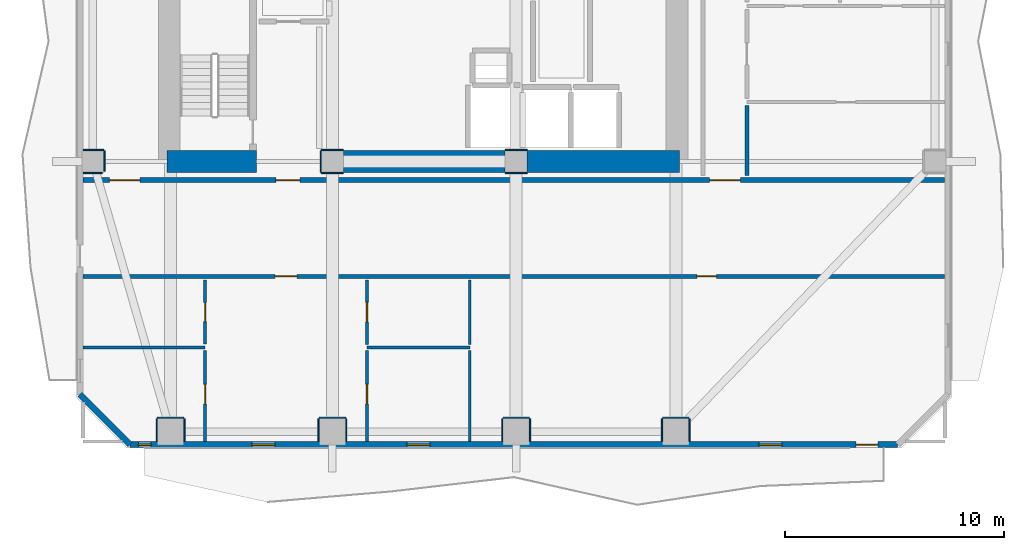
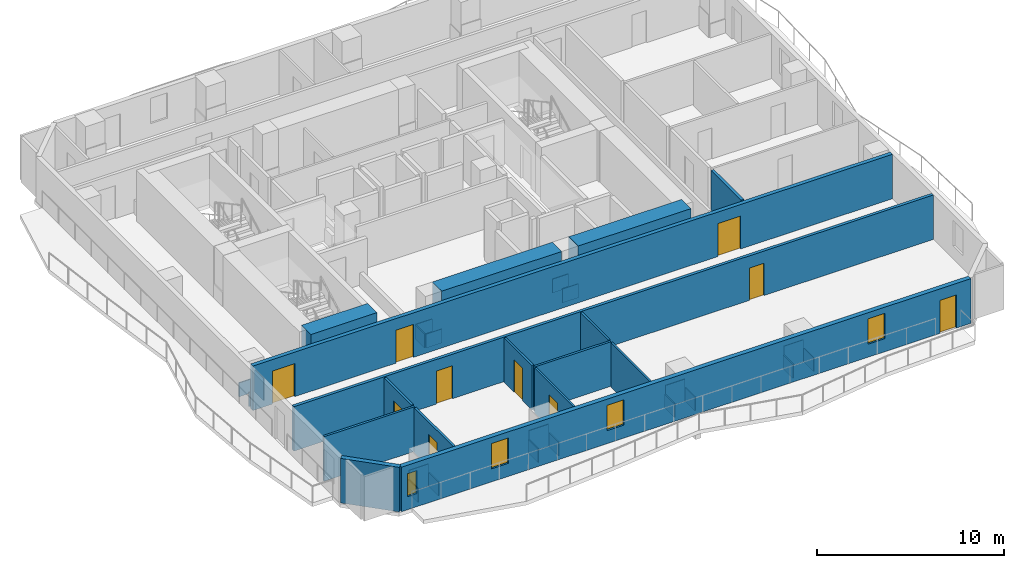
# One storey, part 2 of 9: 36 walls, 10 doors, 4 windows, 14 openings.
"""IFC4 building model written with IfcOpenShell, lengths in metres."""

from ifc_helpers import new_model, si_unit, direction, frame, frame_2d, origin, place, context, subcontext, project, spatial, rectangle, extrude, material, layer, layer_set, type_object, element, fill, save


model = new_model("IFC4")

# Units and contexts
model_context = context("Model", 3, precision=1e-05, world=origin(), true_north=direction((0.0, 1.0)))
body_context = subcontext(model_context, "Body", "Model", "MODEL_VIEW")
ifc_project = project(units=[si_unit("LENGTHUNIT", "METRE"), si_unit("AREAUNIT", "SQUARE_METRE"), si_unit("VOLUMEUNIT", "CUBIC_METRE"), si_unit("PLANEANGLEUNIT", "RADIAN"), si_unit("MASSUNIT", "GRAM", prefix="KILO")], contexts=[model_context])

# Site, building, storey
site_placement = place(None, origin())
site = spatial("IfcSite", under=ifc_project, at=site_placement, CompositionType="ELEMENT")
building_placement = place(site_placement, origin())
building = spatial("IfcBuilding", under=site, at=building_placement, Name="Solanera Arch Residences", CompositionType="ELEMENT")
storey_placement = place(building_placement, frame((0.0, 0.0, 142.60009765625)))
storey = spatial("IfcBuildingStorey", under=building, at=storey_placement, Name="L41", CompositionType="ELEMENT", Elevation=142.60009765625)

# Walls
ifc_material_1 = material(Name="Fire-Rated Gypsum Stud Partition", Category="gypsum")
ifc_layer_1 = layer(ifc_material_1, 0.06005859375)
ifc_layer_set_1 = layer_set([ifc_layer_1], Name="Fire-Rated Gypsum Stud Partition")
wall_type_1 = type_object("IfcWallType", Name="Column Acoustic Furring Wall 60", PredefinedType="PARTITIONING", material=ifc_layer_set_1)
for number, where, z_axis, x_axis, name in (
    (1, (20.300048828125, 21.468017578125, 0.0), (0.0, 0.0, 1.0), (1.0, 0.0, 0.0), "L41 Column Furring 1S"),
    (2, (20.300048828125, 22.531982421875, 0.0), (0.0, 0.0, 1.0), (1.0, 0.0, 0.0), "L41 Column Furring 1N"),
    (3, (20.26806640625, 21.5, 0.0), (0.0, 0.0, 1.0), (0.0, 1.0, 0.0), "L41 Column Furring 1W"),
    (4, (28.699951171875, 21.468017578125, 0.0), (0.0, 0.0, 1.0), (1.0, 0.0, 0.0), "L41 Column Furring 2S"),
    (5, (28.699951171875, 22.531982421875, 0.0), (0.0, 0.0, 1.0), (1.0, 0.0, 0.0), "L41 Column Furring 2N"),
):
    element("IfcWall", number, at=place(storey_placement, frame(where, z_axis=z_axis, x_axis=x_axis)), inside=storey, type_object=wall_type_1, Name=name, PredefinedType="PARTITIONING", context=body_context, shape_type="SweptSolid", body=[
        extrude(rectangle(XDim=1.0, YDim=0.06005859375, at=frame_2d((0.5, 0.0))), origin(), (0.0, 0.0, 1.0), 0.90478515625),
    ])
wall_1_placement = place(storey_placement, frame((12.800048828125, 10.281982421875, 0.0), z_axis=(0.0, 0.0, 1.0), x_axis=(1.0, 0.0, 0.0)))
element("IfcWall", 6, at=wall_1_placement, inside=storey, type_object=wall_type_1, Name="L41 Column Furring 9N", PredefinedType="PARTITIONING", context=body_context, shape_type="SweptSolid", body=[
    extrude(rectangle(XDim=1.199951171875, YDim=0.06005859375, at=frame_2d((0.60009765625, 0.0))), origin(), (0.0, 0.0, 1.0), 1.449951171875),
])
for number, where, z_axis, x_axis, name in (
    (7, (12.76806640625, 9.2099609375, 0.0), (0.0, 0.0, 1.0), (0.0, 1.0, 0.0), "L41 Column Furring 9W"),
    (8, (14.031982421875, 9.2099609375, 0.0), (0.0, 0.0, 1.0), (0.0, 1.0, 0.0), "L41 Column Furring 9E"),
):
    element("IfcWall", number, at=place(storey_placement, frame(where, z_axis=z_axis, x_axis=x_axis)), inside=storey, type_object=wall_type_1, Name=name, PredefinedType="PARTITIONING", context=body_context, shape_type="SweptSolid", body=[
        extrude(rectangle(XDim=1.0400390625, YDim=0.06005859375, at=frame_2d((0.52001953125, 0.0))), origin(), (0.0, 0.0, 1.0), 0.90478515625),
    ])
wall_2_placement = place(storey_placement, frame((20.199951171875, 10.281982421875, 0.0), z_axis=(0.0, 0.0, 1.0), x_axis=(1.0, 0.0, 0.0)))
element("IfcWall", 9, at=wall_2_placement, inside=storey, type_object=wall_type_1, Name="L41 Column Furring 11N", PredefinedType="PARTITIONING", context=body_context, shape_type="SweptSolid", body=[
    extrude(rectangle(XDim=1.199951171875, YDim=0.06005859375, at=frame_2d((0.60009765625, 0.0))), origin(), (0.0, 0.0, 1.0), 1.449951171875),
])
for number, where, z_axis, x_axis, name in (
    (10, (20.16796875, 9.2099609375, 0.0), (0.0, 0.0, 1.0), (0.0, 1.0, 0.0), "L41 Column Furring 11W"),
    (11, (21.431884765625, 9.2099609375, 0.0), (0.0, 0.0, 1.0), (0.0, 1.0, 0.0), "L41 Column Furring 11E"),
):
    element("IfcWall", number, at=place(storey_placement, frame(where, z_axis=z_axis, x_axis=x_axis)), inside=storey, type_object=wall_type_1, Name=name, PredefinedType="PARTITIONING", context=body_context, shape_type="SweptSolid", body=[
        extrude(rectangle(XDim=1.0400390625, YDim=0.06005859375, at=frame_2d((0.52001953125, 0.0))), origin(), (0.0, 0.0, 1.0), 0.90478515625),
    ])
wall_3_placement = place(storey_placement, frame((28.60009765625, 10.281982421875, 0.0), z_axis=(0.0, 0.0, 1.0), x_axis=(1.0, 0.0, 0.0)))
element("IfcWall", 12, at=wall_3_placement, inside=storey, type_object=wall_type_1, Name="L41 Column Furring 13N", PredefinedType="PARTITIONING", context=body_context, shape_type="SweptSolid", body=[
    extrude(rectangle(XDim=1.199951171875, YDim=0.06005859375, at=frame_2d((0.60009765625, 0.0))), origin(), (0.0, 0.0, 1.0), 1.449951171875),
])
for number, where, z_axis, x_axis, name in (
    (13, (28.568115234375, 9.2099609375, 0.0), (0.0, 0.0, 1.0), (0.0, 1.0, 0.0), "L41 Column Furring 13W"),
    (14, (29.83203125, 9.2099609375, 0.0), (0.0, 0.0, 1.0), (0.0, 1.0, 0.0), "L41 Column Furring 13E"),
):
    element("IfcWall", number, at=place(storey_placement, frame(where, z_axis=z_axis, x_axis=x_axis)), inside=storey, type_object=wall_type_1, Name=name, PredefinedType="PARTITIONING", context=body_context, shape_type="SweptSolid", body=[
        extrude(rectangle(XDim=1.0400390625, YDim=0.06005859375, at=frame_2d((0.52001953125, 0.0))), origin(), (0.0, 0.0, 1.0), 0.90478515625),
    ])
wall_4_placement = place(storey_placement, frame((35.89990234375, 10.281982421875, 0.0), z_axis=(0.0, 0.0, 1.0), x_axis=(1.0, 0.0, 0.0)))
element("IfcWall", 15, at=wall_4_placement, inside=storey, type_object=wall_type_1, Name="L41 Column Furring 15N", PredefinedType="PARTITIONING", context=body_context, shape_type="SweptSolid", body=[
    extrude(rectangle(XDim=1.2001953125, YDim=0.06005859375, at=frame_2d((0.60009765625, 0.0))), origin(), (0.0, 0.0, 1.0), 1.449951171875),
])
for number, where, z_axis, x_axis, name in (
    (16, (35.867919921875, 9.2099609375, 0.0), (0.0, 0.0, 1.0), (0.0, 1.0, 0.0), "L41 Column Furring 15W"),
    (17, (37.132080078125, 9.2099609375, 0.0), (0.0, 0.0, 1.0), (0.0, 1.0, 0.0), "L41 Column Furring 15E"),
):
    element("IfcWall", number, at=place(storey_placement, frame(where, z_axis=z_axis, x_axis=x_axis)), inside=storey, type_object=wall_type_1, Name=name, PredefinedType="PARTITIONING", context=body_context, shape_type="SweptSolid", body=[
        extrude(rectangle(XDim=1.0400390625, YDim=0.06005859375, at=frame_2d((0.52001953125, 0.0))), origin(), (0.0, 0.0, 1.0), 0.90478515625),
    ])
wall_5_placement = place(storey_placement, frame((9.409912109375, 21.468017578125, 0.0), z_axis=(0.0, 0.0, 1.0), x_axis=(1.0, 0.0, 0.0)))
element("IfcWall", 18, at=wall_5_placement, inside=storey, type_object=wall_type_1, Name="L41 Column Furring 17S", PredefinedType="PARTITIONING", context=body_context, shape_type="SweptSolid", body=[
    extrude(rectangle(XDim=0.87109375, YDim=0.06005859375, at=frame_2d((0.435546875, 0.0))), origin(), (0.0, 0.0, 1.0), 0.90478515625),
])
wall_6_placement = place(storey_placement, frame((9.409912109375, 22.531982421875, 0.0), z_axis=(0.0, 0.0, 1.0), x_axis=(1.0, 0.0, 0.0)))
element("IfcWall", 19, at=wall_6_placement, inside=storey, type_object=wall_type_1, Name="L41 Column Furring 17N", PredefinedType="PARTITIONING", context=body_context, shape_type="SweptSolid", body=[
    extrude(rectangle(XDim=0.940185546875, YDim=0.06005859375, at=frame_2d((0.47021484375, 0.0))), origin(), (0.0, 0.0, 1.0), 0.90478515625),
])
wall_7_placement = place(storey_placement, frame((10.382080078125, 21.5439453125, 0.0), z_axis=(0.0, 0.0, 1.0), x_axis=(0.0, 1.0, 0.0)))
element("IfcWall", 20, at=wall_7_placement, inside=storey, type_object=wall_type_1, Name="L41 Column Furring 17E", PredefinedType="PARTITIONING", context=body_context, shape_type="SweptSolid", body=[
    extrude(rectangle(XDim=0.9560546875, YDim=0.06005859375, at=frame_2d((0.47802734375, 0.0))), origin(), (0.0, 0.0, 1.0), 1.449951171875),
])
ifc_material_2 = material(Name="Concrete C55/67 (f'c = 60 MPa)", Category="concrete")
ifc_layer_2 = layer(ifc_material_2, 1.0)
ifc_layer_set_2 = layer_set([ifc_layer_2], Name="Concrete C55/67 (f'c = 60 MPa)")
wall_type_2 = type_object("IfcWallType", Name="Core Shear Wall CW-1000", PredefinedType="SHEAR", material=ifc_layer_set_2)
wall_8_placement = place(storey_placement, frame((13.239990234375, 22.0, 0.0), z_axis=(0.0, 0.0, 1.0), x_axis=(1.0, 0.0, 0.0)))
element("IfcWall", 21, at=wall_8_placement, inside=storey, type_object=wall_type_2, Name="L41 South-West Core Shear Wall", PredefinedType="SHEAR", context=body_context, shape_type="SweptSolid", body=[
    extrude(rectangle(XDim=4.080078125, YDim=1.0, at=frame_2d((2.0400390625, 0.0))), origin(), (0.0, 0.0, 1.0), 3.31982421875),
])
wall_9_placement = place(storey_placement, frame((29.705078125, 22.0, 0.0), z_axis=(0.0, 0.0, 1.0), x_axis=(1.0, 0.0, 0.0)))
element("IfcWall", 22, at=wall_9_placement, inside=storey, type_object=wall_type_2, Name="L41 South-East Core Shear Wall", PredefinedType="SHEAR", context=body_context, shape_type="SweptSolid", body=[
    extrude(rectangle(XDim=6.954833984375, YDim=1.0, at=frame_2d((3.4775390625, 0.0))), origin(), (0.0, 0.0, 1.0), 3.31982421875),
])
wall_10_placement = place(storey_placement, frame((21.304931640625, 22.0, 0.0), z_axis=(0.0, 0.0, 1.0), x_axis=(1.0, 0.0, 0.0)))
element("IfcWall", 23, at=wall_10_placement, inside=storey, type_object=wall_type_2, Name="L41 Central South Core Shear Wall", PredefinedType="SHEAR", context=body_context, shape_type="SweptSolid", body=[
    extrude(rectangle(XDim=7.39013671875, YDim=1.0, at=frame_2d((3.695068359375, 0.0))), origin(), (0.0, 0.0, 1.0), 3.31982421875),
])

# Wall, openings, doors
ifc_material_3 = material(Name="Autoclaved Aerated Concrete Blockwork", Category="masonry")
ifc_layer_3 = layer(ifc_material_3, 0.179931640625)
ifc_layer_set_3 = layer_set([ifc_layer_3], Name="Autoclaved Aerated Concrete Blockwork")
wall_type_3 = type_object("IfcWallType", Name="Corridor Fire Partition 180", PredefinedType="PARTITIONING", material=ifc_layer_set_3)
wall_11_placement = place(storey_placement, frame((9.406982421875, 16.75, 0.0), z_axis=(0.0, 0.0, 1.0), x_axis=(1.0, 0.0, 0.0)))
wall_11 = element("IfcWall", 24, at=wall_11_placement, inside=storey, type_object=wall_type_3, Name="L41 Interior Partition H6", PredefinedType="PARTITIONING", context=body_context, shape_type="SweptSolid", body=[
    extrude(rectangle(XDim=39.385986328125, YDim=0.179931640625, at=frame_2d((19.69287109375, 0.0))), origin(), (0.0, 0.0, 1.0), 2.89990234375),
])
opening_1_placement = place(wall_11_placement, frame((8.77294921875, 0.0, 0.0)))
opening_1 = element("IfcOpeningElement", 25, at=opening_1_placement, cuts=wall_11, Name="Opening DI-01", PredefinedType="OPENING", context=body_context, shape_type="SweptSolid", body=[
    extrude(rectangle(XDim=1.0, YDim=2.14990234375, at=frame_2d((0.5, 1.074951171875))), frame((0.0, 0.10009765625, 0.0), z_axis=(0.0, -1.0, 0.0), x_axis=(1.0, 0.0, 0.0)), (0.0, 0.0, 1.0), 0.1999),
])
opening_2_placement = place(wall_11_placement, frame((28.06005859375, 0.0, 0.0)))
opening_2 = element("IfcOpeningElement", 26, at=opening_2_placement, cuts=wall_11, Name="Opening DI-02", PredefinedType="OPENING", context=body_context, shape_type="SweptSolid", body=[
    extrude(rectangle(XDim=0.89990234375, YDim=2.10009765625, at=frame_2d((0.449951171875, 1.050048828125))), frame((0.0, 0.10009765625, 0.0), z_axis=(0.0, -1.0, 0.0), x_axis=(1.0, 0.0, 0.0)), (0.0, 0.0, 1.0), 0.1999),
])
ifc_material_4 = material(Name="Fire-Rated Architectural Hardwood", Category="wood")
door_type_1 = type_object("IfcDoorType", Name="Suite Room Swing Door DI-02", OperationType="NOTDEFINED", PredefinedType="DOOR", material=ifc_material_4)
door_1_placement = place(opening_2_placement, origin())
door_1 = element("IfcDoor", 27, at=door_1_placement, inside=storey, type_object=door_type_1, Name="DR-L41-IN-021", OperationType="SINGLE_SWING_RIGHT", OverallHeight=2.10009765625, OverallWidth=0.89990234375, PredefinedType="DOOR", context=body_context, shape_type="SweptSolid", body=[
    extrude(rectangle(XDim=0.89990234375, YDim=2.10009765625, at=frame_2d((0.449951171875, 1.050048828125))), frame((0.0, 0.02490234375, 0.0), z_axis=(0.0, -1.0, 0.0), x_axis=(1.0, 0.0, 0.0)), (0.0, 0.0, 1.0), 0.050048828125),
])
fill(opening_2, door_1)
ifc_material_5 = material(Name="Fire-Rated Architectural Hardwood", Category="wood")
door_type_2 = type_object("IfcDoorType", Name="Unit Entrance Fire Door DI-01", OperationType="NOTDEFINED", PredefinedType="DOOR", material=ifc_material_5)
door_2_placement = place(opening_1_placement, origin())
door_2 = element("IfcDoor", 28, at=door_2_placement, inside=storey, type_object=door_type_2, Name="DR-L41-IN-016", OperationType="SINGLE_SWING_LEFT", OverallHeight=2.14990234375, OverallWidth=1.0, PredefinedType="DOOR", context=body_context, shape_type="SweptSolid", body=[
    extrude(rectangle(XDim=1.0, YDim=2.14990234375, at=frame_2d((0.5, 1.074951171875))), frame((0.0, 0.02490234375, 0.0), z_axis=(0.0, -1.0, 0.0), x_axis=(1.0, 0.0, 0.0)), (0.0, 0.0, 1.0), 0.050048828125),
])
fill(opening_1, door_2)

# Wall
wall_12_placement = place(storey_placement, frame((39.75, 21.367919921875, 0.0), z_axis=(0.0, 0.0, 1.0), x_axis=(0.0, 1.0, 0.0)))
element("IfcWall", 29, at=wall_12_placement, inside=storey, type_object=wall_type_3, Name="L41 Interior Partition V11 1", PredefinedType="PARTITIONING", context=body_context, shape_type="SweptSolid", body=[
    extrude(rectangle(XDim=3.193115234375, YDim=0.179931640625, at=frame_2d((1.5966796875, 0.0))), origin(), (0.0, 0.0, 1.0), 2.89990234375),
])

# Wall, openings, door, windows
ifc_material_6 = material(Name="Precast Concrete C35/45", Category="concrete")
ifc_layer_4 = layer(ifc_material_6, 0.280029296875)
ifc_layer_set_4 = layer_set([ifc_layer_4], Name="Precast Concrete C35/45")
wall_type_4 = type_object("IfcWallType", Name="Exterior Wall Precast Masonry-Frame 280", PredefinedType="STANDARD", material=ifc_layer_set_4)
wall_13_placement = place(storey_placement, frame((46.64501953125, 9.054931640625, 0.0), z_axis=(0.0, 0.0, 1.0), x_axis=(-1.0, 0.0, 0.0)))
wall_13 = element("IfcWall", 30, at=wall_13_placement, inside=storey, type_object=wall_type_4, Name="L41 Tower Exterior Precast Masonry-Frame Wall S", PredefinedType="STANDARD", context=body_context, shape_type="SweptSolid", body=[
    extrude(rectangle(XDim=35.090087890625, YDim=0.280029296875, at=frame_2d((17.544921875, 0.0))), origin(), (0.0, 0.0, 1.0), 2.89990234375),
])
opening_3_placement = place(wall_13_placement, frame((0.904052734375, 0.0, 0.0)))
opening_3 = element("IfcOpeningElement", 31, at=opening_3_placement, cuts=wall_13, Name="Opening DB-01", PredefinedType="OPENING", context=body_context, shape_type="SweptSolid", body=[
    extrude(rectangle(XDim=1.0, YDim=2.14990234375, at=frame_2d((0.5, 1.074951171875))), frame((0.0, 0.14990234375, 0.0), z_axis=(0.0, -1.0, 0.0), x_axis=(1.0, 0.0, 0.0)), (0.0, 0.0, 1.0), 0.3),
])
opening_4_placement = place(wall_13_placement, frame((28.47998046875, 0.0, 0.85009765625)))
opening_4 = element("IfcOpeningElement", 32, at=opening_4_placement, cuts=wall_13, Name="Opening W-07", PredefinedType="OPENING", context=body_context, shape_type="SweptSolid", body=[
    extrude(rectangle(XDim=1.050048828125, YDim=1.64990234375, at=frame_2d((0.52490234375, 0.824951171875))), frame((0.0, 0.14990234375, 0.0), z_axis=(0.0, -1.0, 0.0), x_axis=(1.0, 0.0, 0.0)), (0.0, 0.0, 1.0), 0.3),
])
opening_5_placement = place(wall_13_placement, frame((34.133056640625, 0.0, 0.85009765625)))
opening_5 = element("IfcOpeningElement", 33, at=opening_5_placement, cuts=wall_13, Name="Opening W-14", PredefinedType="OPENING", context=body_context, shape_type="SweptSolid", body=[
    extrude(rectangle(XDim=0.580078125, YDim=1.5, at=frame_2d((0.2900390625, 0.75))), frame((0.0, 0.14990234375, 0.0), z_axis=(0.0, -1.0, 0.0), x_axis=(1.0, 0.0, 0.0)), (0.0, 0.0, 1.0), 0.3),
])
opening_6_placement = place(wall_13_placement, frame((21.388916015625, 0.0, 0.85009765625)))
opening_6 = element("IfcOpeningElement", 34, at=opening_6_placement, cuts=wall_13, Name="Opening W-07", PredefinedType="OPENING", context=body_context, shape_type="SweptSolid", body=[
    extrude(rectangle(XDim=1.050048828125, YDim=1.64990234375, at=frame_2d((0.52490234375, 0.824951171875))), frame((0.0, 0.14990234375, 0.0), z_axis=(0.0, -1.0, 0.0), x_axis=(1.0, 0.0, 0.0)), (0.0, 0.0, 1.0), 0.3),
])
opening_7_placement = place(wall_13_placement, frame((5.299072265625, 0.0, 0.85009765625)))
opening_7 = element("IfcOpeningElement", 35, at=opening_7_placement, cuts=wall_13, Name="Opening W-07", PredefinedType="OPENING", context=body_context, shape_type="SweptSolid", body=[
    extrude(rectangle(XDim=1.050048828125, YDim=1.64990234375, at=frame_2d((0.52490234375, 0.824951171875))), frame((0.0, 0.14990234375, 0.0), z_axis=(0.0, -1.0, 0.0), x_axis=(1.0, 0.0, 0.0)), (0.0, 0.0, 1.0), 0.3),
])
ifc_material_7 = material(Name="Anodised Aluminium Alloy 6063-T6", Category="aluminium")
door_type_3 = type_object("IfcDoorType", Name="Glazed Balcony Swing Door DB-01", OperationType="NOTDEFINED", PredefinedType="DOOR", material=ifc_material_7)
door_3_placement = place(opening_3_placement, origin())
door_3 = element("IfcDoor", 36, at=door_3_placement, inside=storey, type_object=door_type_3, Name="DR-L41-OUT-01", OperationType="SINGLE_SWING_LEFT", OverallHeight=2.14990234375, OverallWidth=1.0, PredefinedType="DOOR", context=body_context, shape_type="SweptSolid", body=[
    extrude(rectangle(XDim=1.0, YDim=2.14990234375, at=frame_2d((0.5, 1.074951171875))), frame((0.0, 0.02490234375, 0.0), z_axis=(0.0, -1.0, 0.0), x_axis=(1.0, 0.0, 0.0)), (0.0, 0.0, 1.0), 0.050048828125),
])
fill(opening_3, door_3)
ifc_material_8 = material(Name="Double Glazed Low-E Laminated Glass", Category="glass")
window_type_1 = type_object("IfcWindowType", Name="Punched Window W-07", PartitioningType="SINGLE_PANEL", PredefinedType="WINDOW", material=ifc_material_8)
window_1_placement = place(opening_4_placement, origin())
window_1 = element("IfcWindow", 37, at=window_1_placement, inside=storey, type_object=window_type_1, Name="L41 4101-LIV Punched Window", OverallHeight=1.64990234375, OverallWidth=1.050048828125, PartitioningType="SINGLE_PANEL", PredefinedType="WINDOW", context=body_context, shape_type="SweptSolid", body=[
    extrude(rectangle(XDim=1.050048828125, YDim=1.64990234375, at=frame_2d((0.52490234375, 0.824951171875))), frame((0.0, 0.030029296875, 0.0), z_axis=(0.0, -1.0, 0.0), x_axis=(1.0, 0.0, 0.0)), (0.0, 0.0, 1.0), 0.06005859375),
])
fill(opening_4, window_1)
window_2_placement = place(opening_6_placement, origin())
window_2 = element("IfcWindow", 38, at=window_2_placement, inside=storey, type_object=window_type_1, Name="L41 4101-BR2 Punched Window", OverallHeight=1.64990234375, OverallWidth=1.050048828125, PartitioningType="SINGLE_PANEL", PredefinedType="WINDOW", context=body_context, shape_type="SweptSolid", body=[
    extrude(rectangle(XDim=1.050048828125, YDim=1.64990234375, at=frame_2d((0.52490234375, 0.824951171875))), frame((0.0, 0.030029296875, 0.0), z_axis=(0.0, -1.0, 0.0), x_axis=(1.0, 0.0, 0.0)), (0.0, 0.0, 1.0), 0.06005859375),
])
fill(opening_6, window_2)
window_3_placement = place(opening_7_placement, origin())
window_3 = element("IfcWindow", 39, at=window_3_placement, inside=storey, type_object=window_type_1, Name="L41 AMN-LNG Punched Window", OverallHeight=1.64990234375, OverallWidth=1.050048828125, PartitioningType="SINGLE_PANEL", PredefinedType="WINDOW", context=body_context, shape_type="SweptSolid", body=[
    extrude(rectangle(XDim=1.050048828125, YDim=1.64990234375, at=frame_2d((0.52490234375, 0.824951171875))), frame((0.0, 0.030029296875, 0.0), z_axis=(0.0, -1.0, 0.0), x_axis=(1.0, 0.0, 0.0)), (0.0, 0.0, 1.0), 0.06005859375),
])
fill(opening_7, window_3)
ifc_material_9 = material(Name="Double Glazed Low-E Laminated Glass", Category="glass")
window_type_2 = type_object("IfcWindowType", Name="Punched Window W-14", PartitioningType="SINGLE_PANEL", PredefinedType="WINDOW", material=ifc_material_9)
window_4_placement = place(opening_5_placement, origin())
window_4 = element("IfcWindow", 40, at=window_4_placement, inside=storey, type_object=window_type_2, Name="L41 4101-BR1 Punched Window", OverallHeight=1.5, OverallWidth=0.580078125, PartitioningType="SINGLE_PANEL", PredefinedType="WINDOW", context=body_context, shape_type="SweptSolid", body=[
    extrude(rectangle(XDim=0.580078125, YDim=1.5, at=frame_2d((0.2900390625, 0.75))), frame((0.0, 0.030029296875, 0.0), z_axis=(0.0, -1.0, 0.0), x_axis=(1.0, 0.0, 0.0)), (0.0, 0.0, 1.0), 0.06005859375),
])
fill(opening_5, window_4)

# Wall
wall_14_placement = place(storey_placement, frame((11.554931640625, 9.054931640625, 0.0), z_axis=(0.0, 0.0, 1.0), x_axis=(-0.707106781187, 0.707106781187, 0.0)))
element("IfcWall", 41, at=wall_14_placement, inside=storey, type_object=wall_type_4, Name="L41 Tower Exterior Precast Masonry-Frame Wall CH7", PredefinedType="STANDARD", context=body_context, shape_type="SweptSolid", body=[
    extrude(rectangle(XDim=3.252685546875, YDim=0.280029296875, at=frame_2d((1.62646484375, 0.0))), origin(), (0.0, 0.0, 1.0), 2.89990234375),
])

# Wall, openings, doors
ifc_material_10 = material(Name="Autoclaved Aerated Concrete Blockwork", Category="masonry")
ifc_layer_5 = layer(ifc_material_10, 0.239990234375)
ifc_layer_set_5 = layer_set([ifc_layer_5], Name="Autoclaved Aerated Concrete Blockwork")
wall_type_5 = type_object("IfcWallType", Name="Shaft Wall Fire-Rated 240", PredefinedType="PARTITIONING", material=ifc_layer_set_5)
wall_15_placement = place(storey_placement, frame((9.406982421875, 21.14990234375, 0.0), z_axis=(0.0, 0.0, 1.0), x_axis=(1.0, 0.0, 0.0)))
wall_15 = element("IfcWall", 42, at=wall_15_placement, inside=storey, type_object=wall_type_5, Name="L41 Interior Partition H1", PredefinedType="PARTITIONING", context=body_context, shape_type="SweptSolid", body=[
    extrude(rectangle(XDim=39.385986328125, YDim=0.239990234375, at=frame_2d((19.69287109375, 0.0))), origin(), (0.0, 0.0, 1.0), 2.89990234375),
])
opening_8_placement = place(wall_15_placement, frame((8.802978515625, 0.0, 0.0)))
opening_8 = element("IfcOpeningElement", 43, at=opening_8_placement, cuts=wall_15, Name="Opening DF-02", PredefinedType="OPENING", context=body_context, shape_type="SweptSolid", body=[
    extrude(rectangle(XDim=1.10009765625, YDim=2.14990234375, at=frame_2d((0.550048828125, 1.074951171875))), frame((0.0, 0.1298828125, 0.0), z_axis=(0.0, -1.0, 0.0), x_axis=(1.0, 0.0, 0.0)), (0.0, 0.0, 1.0), 0.26),
])
opening_9_placement = place(wall_15_placement, frame((1.19189453125, 0.0, 0.0)))
opening_9 = element("IfcOpeningElement", 44, at=opening_9_placement, cuts=wall_15, Name="Opening DF-03", PredefinedType="OPENING", context=body_context, shape_type="SweptSolid", body=[
    extrude(rectangle(XDim=1.39990234375, YDim=2.14990234375, at=frame_2d((0.699951171875, 1.074951171875))), frame((0.0, 0.1298828125, 0.0), z_axis=(0.0, -1.0, 0.0), x_axis=(1.0, 0.0, 0.0)), (0.0, 0.0, 1.0), 0.26),
])
opening_10_placement = place(wall_15_placement, frame((28.64306640625, 0.0, 0.0)))
opening_10 = element("IfcOpeningElement", 45, at=opening_10_placement, cuts=wall_15, Name="Opening DF-03", PredefinedType="OPENING", context=body_context, shape_type="SweptSolid", body=[
    extrude(rectangle(XDim=1.39990234375, YDim=2.14990234375, at=frame_2d((0.699951171875, 1.074951171875))), frame((0.0, 0.1298828125, 0.0), z_axis=(0.0, -1.0, 0.0), x_axis=(1.0, 0.0, 0.0)), (0.0, 0.0, 1.0), 0.26),
])
ifc_material_11 = material(Name="Fire-Rated Architectural Hardwood", Category="wood")
door_type_4 = type_object("IfcDoorType", Name="Corridor Smoke Door DF-03", OperationType="NOTDEFINED", PredefinedType="DOOR", material=ifc_material_11)
door_4_placement = place(opening_9_placement, origin())
door_4 = element("IfcDoor", 46, at=door_4_placement, inside=storey, type_object=door_type_4, Name="DR-L41-IN-010", OperationType="SINGLE_SWING_LEFT", OverallHeight=2.14990234375, OverallWidth=1.39990234375, PredefinedType="DOOR", context=body_context, shape_type="SweptSolid", body=[
    extrude(rectangle(XDim=1.39990234375, YDim=2.14990234375, at=frame_2d((0.699951171875, 1.074951171875))), frame((0.0, 0.02490234375, 0.0), z_axis=(0.0, -1.0, 0.0), x_axis=(1.0, 0.0, 0.0)), (0.0, 0.0, 1.0), 0.050048828125),
])
fill(opening_9, door_4)
door_5_placement = place(opening_10_placement, origin())
door_5 = element("IfcDoor", 47, at=door_5_placement, inside=storey, type_object=door_type_4, Name="DR-L41-IN-011", OperationType="SINGLE_SWING_RIGHT", OverallHeight=2.14990234375, OverallWidth=1.39990234375, PredefinedType="DOOR", context=body_context, shape_type="SweptSolid", body=[
    extrude(rectangle(XDim=1.39990234375, YDim=2.14990234375, at=frame_2d((0.699951171875, 1.074951171875))), frame((0.0, 0.02490234375, 0.0), z_axis=(0.0, -1.0, 0.0), x_axis=(1.0, 0.0, 0.0)), (0.0, 0.0, 1.0), 0.050048828125),
])
fill(opening_10, door_5)
ifc_material_12 = material(Name="Fire-Rated Architectural Hardwood", Category="wood")
door_type_5 = type_object("IfcDoorType", Name="Firefighting Lobby Fire Door DF-02", OperationType="NOTDEFINED", PredefinedType="DOOR", material=ifc_material_12)
door_6_placement = place(opening_8_placement, origin())
door_6 = element("IfcDoor", 48, at=door_6_placement, inside=storey, type_object=door_type_5, Name="DR-L41-IN-008", OperationType="SINGLE_SWING_LEFT", OverallHeight=2.14990234375, OverallWidth=1.10009765625, PredefinedType="DOOR", context=body_context, shape_type="SweptSolid", body=[
    extrude(rectangle(XDim=1.10009765625, YDim=2.14990234375, at=frame_2d((0.550048828125, 1.074951171875))), frame((0.0, 0.02490234375, 0.0), z_axis=(0.0, -1.0, 0.0), x_axis=(1.0, 0.0, 0.0)), (0.0, 0.0, 1.0), 0.050048828125),
])
fill(opening_8, door_6)

# Wall, opening, door
ifc_material_13 = material(Name="Fire-Rated Gypsum Stud Partition", Category="gypsum")
ifc_layer_6 = layer(ifc_material_13, 0.1201171875)
ifc_layer_set_6 = layer_set([ifc_layer_6], Name="Fire-Rated Gypsum Stud Partition")
wall_type_6 = type_object("IfcWallType", Name="Unit Drywall Partition 120", PredefinedType="PARTITIONING", material=ifc_layer_set_6)
wall_16_placement = place(storey_placement, frame((22.3798828125, 9.20703125, 0.0), z_axis=(0.0, 0.0, 1.0), x_axis=(0.0, 1.0, 0.0)))
wall_16 = element("IfcWall", 49, at=wall_16_placement, inside=storey, type_object=wall_type_6, Name="L41 Interior Partition V16 1", PredefinedType="PARTITIONING", context=body_context, shape_type="SweptSolid", body=[
    extrude(rectangle(XDim=4.158935546875, YDim=0.1201171875, at=frame_2d((2.07958984375, 0.0))), origin(), (0.0, 0.0, 1.0), 2.89990234375),
])
opening_11_placement = place(wall_16_placement, frame((1.7080078125, 0.0, 0.0)))
opening_11 = element("IfcOpeningElement", 50, at=opening_11_placement, cuts=wall_16, Name="Opening DI-03", PredefinedType="OPENING", context=body_context, shape_type="SweptSolid", body=[
    extrude(rectangle(XDim=0.89990234375, YDim=2.10009765625, at=frame_2d((0.449951171875, 1.050048828125))), frame((0.0, 0.070068359375, 0.0), z_axis=(0.0, -1.0, 0.0), x_axis=(1.0, 0.0, 0.0)), (0.0, 0.0, 1.0), 0.1401),
])
ifc_material_14 = material(Name="Fire-Rated Architectural Hardwood", Category="wood")
door_type_6 = type_object("IfcDoorType", Name="Bedroom Swing Door DI-03", OperationType="NOTDEFINED", PredefinedType="DOOR", material=ifc_material_14)
door_7_placement = place(opening_11_placement, origin())
door_7 = element("IfcDoor", 51, at=door_7_placement, inside=storey, type_object=door_type_6, Name="DR-L41-IN-020", OperationType="SINGLE_SWING_LEFT", OverallHeight=2.10009765625, OverallWidth=0.89990234375, PredefinedType="DOOR", context=body_context, shape_type="SweptSolid", body=[
    extrude(rectangle(XDim=0.89990234375, YDim=2.10009765625, at=frame_2d((0.449951171875, 1.050048828125))), frame((0.0, 0.02490234375, 0.0), z_axis=(0.0, -1.0, 0.0), x_axis=(1.0, 0.0, 0.0)), (0.0, 0.0, 1.0), 0.050048828125),
])
fill(opening_11, door_7)

wall_17_placement = place(storey_placement, frame((22.3798828125, 13.64208984375, 0.0), z_axis=(0.0, 0.0, 1.0), x_axis=(0.0, 1.0, 0.0)))
wall_17 = element("IfcWall", 52, at=wall_17_placement, inside=storey, type_object=wall_type_6, Name="L41 Interior Partition V16 2", PredefinedType="PARTITIONING", context=body_context, shape_type="SweptSolid", body=[
    extrude(rectangle(XDim=2.949951171875, YDim=0.1201171875, at=frame_2d((1.47509765625, 0.0))), origin(), (0.0, 0.0, 1.0), 2.89990234375),
])
opening_12_placement = place(wall_17_placement, frame((1.02197265625, 0.0, 0.0)))
opening_12 = element("IfcOpeningElement", 53, at=opening_12_placement, cuts=wall_17, Name="Opening DI-02", PredefinedType="OPENING", context=body_context, shape_type="SweptSolid", body=[
    extrude(rectangle(XDim=0.89990234375, YDim=2.10009765625, at=frame_2d((0.449951171875, 1.050048828125))), frame((0.0, 0.070068359375, 0.0), z_axis=(0.0, -1.0, 0.0), x_axis=(1.0, 0.0, 0.0)), (0.0, 0.0, 1.0), 0.1401),
])
door_8_placement = place(opening_12_placement, origin())
door_8 = element("IfcDoor", 54, at=door_8_placement, inside=storey, type_object=door_type_1, Name="DR-L41-IN-019", OperationType="SINGLE_SWING_RIGHT", OverallHeight=2.10009765625, OverallWidth=0.89990234375, PredefinedType="DOOR", context=body_context, shape_type="SweptSolid", body=[
    extrude(rectangle(XDim=0.89990234375, YDim=2.10009765625, at=frame_2d((0.449951171875, 1.050048828125))), frame((0.0, 0.02490234375, 0.0), z_axis=(0.0, -1.0, 0.0), x_axis=(1.0, 0.0, 0.0)), (0.0, 0.0, 1.0), 0.050048828125),
])
fill(opening_12, door_8)

# Walls
wall_18_placement = place(storey_placement, frame((27.0830078125, 9.20703125, 0.0), z_axis=(0.0, 0.0, 1.0), x_axis=(0.0, 1.0, 0.0)))
element("IfcWall", 55, at=wall_18_placement, inside=storey, type_object=wall_type_6, Name="L41 Interior Partition V19 1", PredefinedType="PARTITIONING", context=body_context, shape_type="SweptSolid", body=[
    extrude(rectangle(XDim=4.158935546875, YDim=0.1201171875, at=frame_2d((2.07958984375, 0.0))), origin(), (0.0, 0.0, 1.0), 2.89990234375),
])
wall_19_placement = place(storey_placement, frame((27.0830078125, 13.64208984375, 0.0), z_axis=(0.0, 0.0, 1.0), x_axis=(0.0, 1.0, 0.0)))
element("IfcWall", 56, at=wall_19_placement, inside=storey, type_object=wall_type_6, Name="L41 Interior Partition V19 2", PredefinedType="PARTITIONING", context=body_context, shape_type="SweptSolid", body=[
    extrude(rectangle(XDim=2.949951171875, YDim=0.1201171875, at=frame_2d((1.47509765625, 0.0))), origin(), (0.0, 0.0, 1.0), 2.89990234375),
])
ifc_material_15 = material(Name="Autoclaved Aerated Concrete Blockwork", Category="masonry")
ifc_layer_7 = layer(ifc_material_15, 0.139892578125)
ifc_layer_set_7 = layer_set([ifc_layer_7], Name="Autoclaved Aerated Concrete Blockwork")
wall_type_7 = type_object("IfcWallType", Name="Wet-Room Partition 140", PredefinedType="PARTITIONING", material=ifc_layer_set_7)
wall_20_placement = place(storey_placement, frame((9.406982421875, 13.50390625, 0.0), z_axis=(0.0, 0.0, 1.0), x_axis=(1.0, 0.0, 0.0)))
element("IfcWall", 57, at=wall_20_placement, inside=storey, type_object=wall_type_7, Name="L41 Interior Partition H12", PredefinedType="PARTITIONING", context=body_context, shape_type="SweptSolid", body=[
    extrude(rectangle(XDim=5.572998046875, YDim=0.139892578125, at=frame_2d((2.78662109375, 0.0))), origin(), (0.0, 0.0, 1.0), 2.89990234375),
])
wall_21_placement = place(storey_placement, frame((22.3798828125, 13.50390625, 0.0), z_axis=(0.0, 0.0, 1.0), x_axis=(1.0, 0.0, 0.0)))
element("IfcWall", 58, at=wall_21_placement, inside=storey, type_object=wall_type_7, Name="L41 Interior Partition H13", PredefinedType="PARTITIONING", context=body_context, shape_type="SweptSolid", body=[
    extrude(rectangle(XDim=4.703125, YDim=0.139892578125, at=frame_2d((2.3515625, 0.0))), origin(), (0.0, 0.0, 1.0), 2.89990234375),
])

# Wall, opening, door
wall_22_placement = place(storey_placement, frame((14.97998046875, 9.20703125, 0.0), z_axis=(0.0, 0.0, 1.0), x_axis=(0.0, 1.0, 0.0)))
wall_22 = element("IfcWall", 59, at=wall_22_placement, inside=storey, type_object=wall_type_7, Name="L41 Interior Partition V14 1", PredefinedType="PARTITIONING", context=body_context, shape_type="SweptSolid", body=[
    extrude(rectangle(XDim=4.14892578125, YDim=0.139892578125, at=frame_2d((2.074462890625, 0.0))), origin(), (0.0, 0.0, 1.0), 2.89990234375),
])
opening_13_placement = place(wall_22_placement, frame((1.7080078125, 0.0, 0.0)))
opening_13 = element("IfcOpeningElement", 60, at=opening_13_placement, cuts=wall_22, Name="Opening DI-03", PredefinedType="OPENING", context=body_context, shape_type="SweptSolid", body=[
    extrude(rectangle(XDim=0.89990234375, YDim=2.10009765625, at=frame_2d((0.449951171875, 1.050048828125))), frame((0.0, 0.079833984375, 0.0), z_axis=(0.0, -1.0, 0.0), x_axis=(1.0, 0.0, 0.0)), (0.0, 0.0, 1.0), 0.1599),
])
door_9_placement = place(opening_13_placement, origin())
door_9 = element("IfcDoor", 61, at=door_9_placement, inside=storey, type_object=door_type_6, Name="DR-L41-IN-018", OperationType="SINGLE_SWING_LEFT", OverallHeight=2.10009765625, OverallWidth=0.89990234375, PredefinedType="DOOR", context=body_context, shape_type="SweptSolid", body=[
    extrude(rectangle(XDim=0.89990234375, YDim=2.10009765625, at=frame_2d((0.449951171875, 1.050048828125))), frame((0.0, 0.02490234375, 0.0), z_axis=(0.0, -1.0, 0.0), x_axis=(1.0, 0.0, 0.0)), (0.0, 0.0, 1.0), 0.050048828125),
])
fill(opening_13, door_9)

wall_23_placement = place(storey_placement, frame((14.97998046875, 13.652099609375, 0.0), z_axis=(0.0, 0.0, 1.0), x_axis=(0.0, 1.0, 0.0)))
wall_23 = element("IfcWall", 62, at=wall_23_placement, inside=storey, type_object=wall_type_7, Name="L41 Interior Partition V14 2", PredefinedType="PARTITIONING", context=body_context, shape_type="SweptSolid", body=[
    extrude(rectangle(XDim=2.929931640625, YDim=0.139892578125, at=frame_2d((1.46484375, 0.0))), origin(), (0.0, 0.0, 1.0), 2.89990234375),
])
opening_14_placement = place(wall_23_placement, frame((1.031982421875, 0.0, 0.0)))
opening_14 = element("IfcOpeningElement", 63, at=opening_14_placement, cuts=wall_23, Name="Opening DI-05", PredefinedType="OPENING", context=body_context, shape_type="SweptSolid", body=[
    extrude(rectangle(XDim=0.860107421875, YDim=2.02001953125, at=frame_2d((0.43017578125, 1.010009765625))), frame((0.0, 0.079833984375, 0.0), z_axis=(0.0, -1.0, 0.0), x_axis=(1.0, 0.0, 0.0)), (0.0, 0.0, 1.0), 0.1599),
])
ifc_material_16 = material(Name="Fire-Rated Architectural Hardwood", Category="wood")
door_type_7 = type_object("IfcDoorType", Name="Bathroom Swing Door DI-05", OperationType="NOTDEFINED", PredefinedType="DOOR", material=ifc_material_16)
door_10_placement = place(opening_14_placement, origin())
door_10 = element("IfcDoor", 64, at=door_10_placement, inside=storey, type_object=door_type_7, Name="DR-L41-IN-017", OperationType="SINGLE_SWING_RIGHT", OverallHeight=2.02001953125, OverallWidth=0.860107421875, PredefinedType="DOOR", context=body_context, shape_type="SweptSolid", body=[
    extrude(rectangle(XDim=0.860107421875, YDim=2.02001953125, at=frame_2d((0.43017578125, 1.010009765625))), frame((0.0, 0.02490234375, 0.0), z_axis=(0.0, -1.0, 0.0), x_axis=(1.0, 0.0, 0.0)), (0.0, 0.0, 1.0), 0.050048828125),
])
fill(opening_14, door_10)

save(model, "model.ifc")
